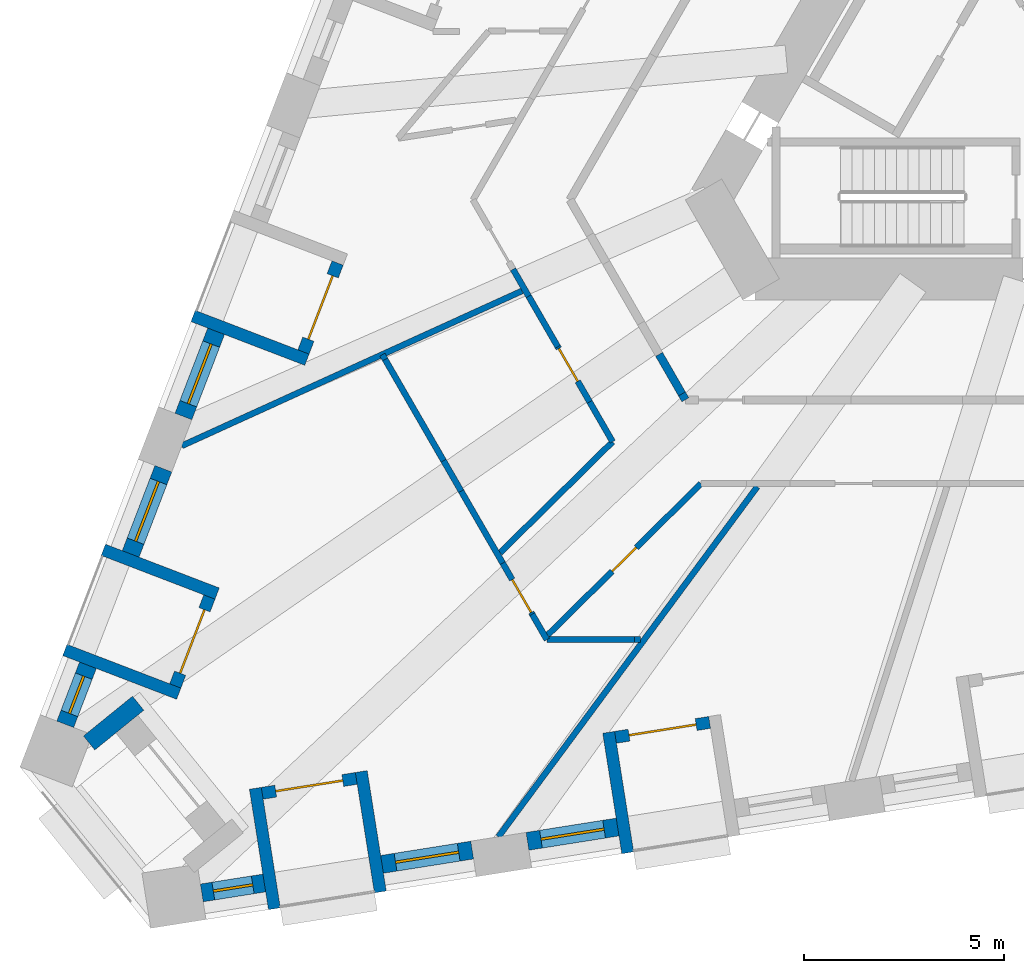
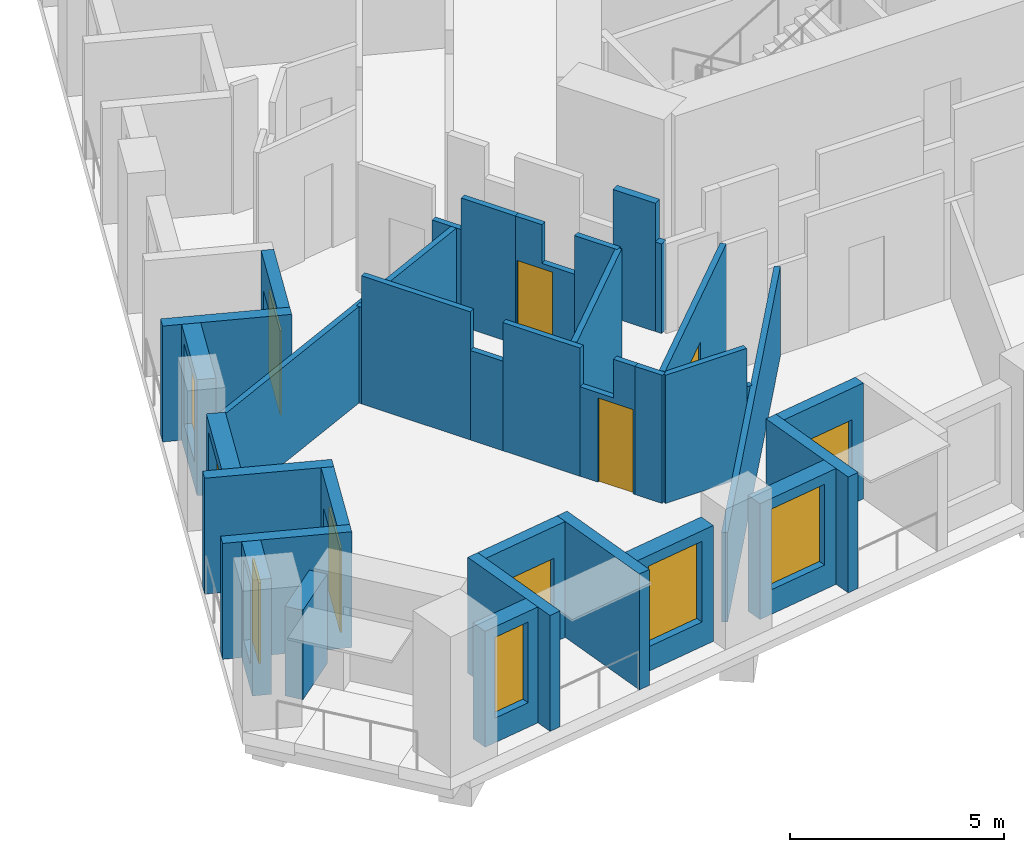
# One storey, part 2 of 14: 35 walls, 7 doors, 6 windows, 13 openings.
"""IFC4 building model written with IfcOpenShell, lengths in metres."""

from ifc_helpers import new_model, si_unit, direction, frame, frame_2d, origin, place, context, subcontext, project, spatial, polyline, rectangle, outline, extrude, material, layer, layer_set, type_object, element, fill, save


model = new_model("IFC4")

# Units and contexts
model_context = context("Model", 3, precision=1e-05, world=origin(), true_north=direction((0.0, 1.0)))
body_context = subcontext(model_context, "Body", "Model", "MODEL_VIEW")
ifc_project = project(units=[si_unit("LENGTHUNIT", "METRE"), si_unit("AREAUNIT", "SQUARE_METRE"), si_unit("VOLUMEUNIT", "CUBIC_METRE"), si_unit("PLANEANGLEUNIT", "RADIAN"), si_unit("MASSUNIT", "GRAM", prefix="KILO")], contexts=[model_context])

# Site, building, storey
site_placement = place(None, origin())
site = spatial("IfcSite", under=ifc_project, at=site_placement, CompositionType="ELEMENT")
building_placement = place(site_placement, origin())
building = spatial("IfcBuilding", under=site, at=building_placement, Name="Tramontana Tower", CompositionType="ELEMENT")
storey_placement = place(building_placement, frame((0.0, 0.0, 59.199951171875)))
storey = spatial("IfcBuildingStorey", under=building, at=storey_placement, Name="L12", CompositionType="ELEMENT", Elevation=59.199951171875)

# Walls
ifc_material_1 = material(Name="Blockwork", Category="masonry")
ifc_layer_1 = layer(ifc_material_1, 0.199951171875)
ifc_layer_set_1 = layer_set([ifc_layer_1], Name="ENTRY WALL 200")
wall_type_1 = type_object("IfcWallType", Name="ENTRY WALL 200", PredefinedType="SOLIDWALL", material=ifc_layer_set_1)
wall_1_placement = place(storey_placement, frame((-10.248046875, -9.25, 0.0), z_axis=(0.0, 0.0, 1.0), x_axis=(-0.499516518495, 0.866304362075, 0.0)))
element("IfcWall", 1, at=wall_1_placement, inside=storey, type_object=wall_type_1, Name="Wall v10-ew3-0", PredefinedType="SOLIDWALL", context=body_context, shape_type="SweptSolid", body=[
    extrude(rectangle(XDim=0.171142578125, YDim=0.199951171875, at=frame_2d((0.08544921875, 0.0))), origin(), (0.0, 0.0, 1.0), 2.550048828125),
])
wall_2_placement = place(storey_placement, frame((-10.33349609375, -9.101806640625, 0.0), z_axis=(0.0, 0.0, 1.0), x_axis=(-0.500049527193, 0.865996807358, 0.0)))
element("IfcWall", 2, at=wall_2_placement, inside=storey, type_object=wall_type_1, Name="Wall v10-ew3-1", PredefinedType="SOLIDWALL", context=body_context, shape_type="SweptSolid", body=[
    extrude(rectangle(XDim=1.1416015625, YDim=0.199951171875, at=frame_2d((0.57080078125, 0.0))), origin(), (0.0, 0.0, 1.0), 3.650146484375),
])

# Wall, opening, window
ifc_material_2 = material(Name="Precast concrete 60 MPa", Category="concrete")
ifc_layer_2 = layer(ifc_material_2, 0.449951171875)
ifc_layer_set_2 = layer_set([ifc_layer_2], Name="Precast concrete 60 MPa, 450 mm")
wall_type_2 = type_object("IfcWallType", Name="EW1 Stone-faced precast wall 450", PredefinedType="SOLIDWALL", material=ifc_layer_set_2)
wall_3_placement = place(storey_placement, frame((-21.986083984375, -7.536376953125, 0.0), z_axis=(0.0, 0.0, 1.0), x_axis=(-0.358355550725, -0.933585185864, 0.0)))
wall_3 = element("IfcWall", 3, at=wall_3_placement, inside=storey, type_object=wall_type_2, Name="External wall L12 face 0 bay 5", PredefinedType="SOLIDWALL", context=body_context, shape_type="SweptSolid", body=[
    extrude(rectangle(XDim=2.282958984375, YDim=0.449951171875, at=frame_2d((1.1416015625, 0.0))), origin(), (0.0, 0.0, 1.0), 3.300048828125),
])
opening_1_placement = place(wall_3_placement, frame((0.341552734375, 0.0, 0.699951171875)))
opening_1 = element("IfcOpeningElement", 4, at=opening_1_placement, cuts=wall_3, Name="Opening M1", PredefinedType="OPENING", context=body_context, shape_type="SweptSolid", body=[
    extrude(rectangle(XDim=1.60009765625, YDim=2.300048828125, at=frame_2d((0.800048828125, 1.14990234375))), frame((0.0, 0.23486328125, 0.0), z_axis=(0.0, -1.0, 0.0), x_axis=(1.0, 0.0, 0.0)), (0.0, 0.0, 1.0), 0.469970703125),
])
ifc_material_3 = material(Name="Aluminum frame, double glazing unit", Category="aluminium")
window_type_1 = type_object("IfcWindowType", Name="M1 Window 1.6 x 2.3", PartitioningType="SINGLE_PANEL", PredefinedType="WINDOW", material=ifc_material_3)
window_1_placement = place(opening_1_placement, origin())
window_1 = element("IfcWindow", 5, at=window_1_placement, inside=storey, type_object=window_type_1, Name="Window M1 L12 face 0 module 15", OverallHeight=2.300048828125, OverallWidth=1.60009765625, PartitioningType="SINGLE_PANEL", PredefinedType="WINDOW", context=body_context, shape_type="SweptSolid", body=[
    extrude(rectangle(XDim=1.60009765625, YDim=2.300048828125, at=frame_2d((0.800048828125, 1.14990234375))), frame((0.0, 0.030029296875, 0.0), z_axis=(0.0, -1.0, 0.0), x_axis=(1.0, 0.0, 0.0)), (0.0, 0.0, 1.0), 0.06005859375),
])
fill(opening_1, window_1)

wall_4_placement = place(storey_placement, frame((-23.305908203125, -10.974609375, 0.0), z_axis=(0.0, 0.0, 1.0), x_axis=(-0.358355550725, -0.933585185864, 0.0)))
wall_4 = element("IfcWall", 6, at=wall_4_placement, inside=storey, type_object=wall_type_2, Name="External wall L12 face 0 bay 6", PredefinedType="SOLIDWALL", context=body_context, shape_type="SweptSolid", body=[
    extrude(rectangle(XDim=2.282958984375, YDim=0.449951171875, at=frame_2d((1.1416015625, 0.0))), origin(), (0.0, 0.0, 1.0), 3.300048828125),
])
opening_2_placement = place(wall_4_placement, frame((0.341552734375, 0.0, 0.699951171875)))
opening_2 = element("IfcOpeningElement", 7, at=opening_2_placement, cuts=wall_4, Name="Opening M1", PredefinedType="OPENING", context=body_context, shape_type="SweptSolid", body=[
    extrude(rectangle(XDim=1.60009765625, YDim=2.300048828125, at=frame_2d((0.800048828125, 1.14990234375))), frame((0.0, 0.23486328125, 0.0), z_axis=(0.0, -1.0, 0.0), x_axis=(1.0, 0.0, 0.0)), (0.0, 0.0, 1.0), 0.469970703125),
])
window_2_placement = place(opening_2_placement, origin())
window_2 = element("IfcWindow", 8, at=window_2_placement, inside=storey, type_object=window_type_1, Name="Window M1 L12 face 0 module 16", OverallHeight=2.300048828125, OverallWidth=1.60009765625, PartitioningType="SINGLE_PANEL", PredefinedType="WINDOW", context=body_context, shape_type="SweptSolid", body=[
    extrude(rectangle(XDim=1.60009765625, YDim=2.300048828125, at=frame_2d((0.800048828125, 1.14990234375))), frame((0.0, 0.030029296875, 0.0), z_axis=(0.0, -1.0, 0.0), x_axis=(1.0, 0.0, 0.0)), (0.0, 0.0, 1.0), 0.06005859375),
])
fill(opening_2, window_2)

wall_5_placement = place(storey_placement, frame((-25.193115234375, -15.890869140625, 0.0), z_axis=(0.0, 0.0, 1.0), x_axis=(-0.358431261356, -0.933556120907, 0.0)))
wall_5 = element("IfcWall", 9, at=wall_5_placement, inside=storey, type_object=wall_type_2, Name="External wall L12 face 0 bay 6", PredefinedType="SOLIDWALL", context=body_context, shape_type="SweptSolid", body=[
    extrude(rectangle(XDim=1.5830078125, YDim=0.449951171875, at=frame_2d((0.79150390625, 0.0))), origin(), (0.0, 0.0, 1.0), 3.300048828125),
])
opening_3_placement = place(wall_5_placement, frame((0.29150390625, 0.0, 0.699951171875)))
opening_3 = element("IfcOpeningElement", 10, at=opening_3_placement, cuts=wall_5, Name="Opening N1", PredefinedType="OPENING", context=body_context, shape_type="SweptSolid", body=[
    extrude(rectangle(XDim=1.0, YDim=2.300048828125, at=frame_2d((0.5, 1.14990234375))), frame((0.0, 0.23486328125, 0.0), z_axis=(0.0, -1.0, 0.0), x_axis=(1.0, 0.0, 0.0)), (0.0, 0.0, 1.0), 0.469970703125),
])
ifc_material_4 = material(Name="Aluminum frame, double glazing unit", Category="aluminium")
window_type_2 = type_object("IfcWindowType", Name="N1 Window 1 x 2.3", PartitioningType="SINGLE_PANEL", PredefinedType="WINDOW", material=ifc_material_4)
window_3_placement = place(opening_3_placement, origin())
window_3 = element("IfcWindow", 11, at=window_3_placement, inside=storey, type_object=window_type_2, Name="Window N1 L12 face 0 module 18", OverallHeight=2.300048828125, OverallWidth=1.0, PartitioningType="SINGLE_PANEL", PredefinedType="WINDOW", context=body_context, shape_type="SweptSolid", body=[
    extrude(rectangle(XDim=1.0, YDim=2.300048828125, at=frame_2d((0.5, 1.14990234375))), frame((0.0, 0.030029296875, 0.0), z_axis=(0.0, -1.0, 0.0), x_axis=(1.0, 0.0, 0.0)), (0.0, 0.0, 1.0), 0.06005859375),
])
fill(opening_3, window_3)

wall_6_placement = place(storey_placement, frame((-22.344970703125, -21.586181640625, 0.0), z_axis=(0.0, 0.0, 1.0), x_axis=(0.987695344573, 0.156390237257, 0.0)))
wall_6 = element("IfcWall", 12, at=wall_6_placement, inside=storey, type_object=wall_type_2, Name="External wall L12 face 1 bay 1", PredefinedType="SOLIDWALL", context=body_context, shape_type="SweptSolid", body=[
    extrude(rectangle(XDim=1.5830078125, YDim=0.449951171875, at=frame_2d((0.79150390625, 0.0))), origin(), (0.0, 0.0, 1.0), 3.300048828125),
])
opening_4_placement = place(wall_6_placement, frame((0.29150390625, 0.0, 0.699951171875)))
opening_4 = element("IfcOpeningElement", 13, at=opening_4_placement, cuts=wall_6, Name="Opening N1", PredefinedType="OPENING", context=body_context, shape_type="SweptSolid", body=[
    extrude(rectangle(XDim=1.0, YDim=2.300048828125, at=frame_2d((0.5, 1.14990234375))), frame((0.0, 0.23486328125, 0.0), z_axis=(0.0, -1.0, 0.0), x_axis=(1.0, 0.0, 0.0)), (0.0, 0.0, 1.0), 0.469970703125),
])
window_4_placement = place(opening_4_placement, origin())
window_4 = element("IfcWindow", 14, at=window_4_placement, inside=storey, type_object=window_type_2, Name="Window N1 L12 face 1 module 1", OverallHeight=2.300048828125, OverallWidth=1.0, PartitioningType="SINGLE_PANEL", PredefinedType="WINDOW", context=body_context, shape_type="SweptSolid", body=[
    extrude(rectangle(XDim=1.0, YDim=2.300048828125, at=frame_2d((0.5, 1.14990234375))), frame((0.0, 0.030029296875, 0.0), z_axis=(0.0, -1.0, 0.0), x_axis=(1.0, 0.0, 0.0)), (0.0, 0.0, 1.0), 0.06005859375),
])
fill(opening_4, window_4)

wall_7_placement = place(storey_placement, frame((-17.835205078125, -20.8720703125, 0.0), z_axis=(0.0, 0.0, 1.0), x_axis=(0.987685675151, 0.156451293065, 0.0)))
wall_7 = element("IfcWall", 15, at=wall_7_placement, inside=storey, type_object=wall_type_2, Name="External wall L12 face 1 bay 1", PredefinedType="SOLIDWALL", context=body_context, shape_type="SweptSolid", body=[
    extrude(rectangle(XDim=2.282958984375, YDim=0.449951171875, at=frame_2d((1.1416015625, 0.0))), origin(), (0.0, 0.0, 1.0), 3.300048828125),
])
opening_5_placement = place(wall_7_placement, frame((0.341552734375, 0.0, 0.699951171875)))
opening_5 = element("IfcOpeningElement", 16, at=opening_5_placement, cuts=wall_7, Name="Opening M1", PredefinedType="OPENING", context=body_context, shape_type="SweptSolid", body=[
    extrude(rectangle(XDim=1.60009765625, YDim=2.300048828125, at=frame_2d((0.800048828125, 1.14990234375))), frame((0.0, 0.23486328125, 0.0), z_axis=(0.0, -1.0, 0.0), x_axis=(1.0, 0.0, 0.0)), (0.0, 0.0, 1.0), 0.469970703125),
])
window_5_placement = place(opening_5_placement, origin())
window_5 = element("IfcWindow", 17, at=window_5_placement, inside=storey, type_object=window_type_1, Name="Window M1 L12 face 1 module 3", OverallHeight=2.300048828125, OverallWidth=1.60009765625, PartitioningType="SINGLE_PANEL", PredefinedType="WINDOW", context=body_context, shape_type="SweptSolid", body=[
    extrude(rectangle(XDim=1.60009765625, YDim=2.300048828125, at=frame_2d((0.800048828125, 1.14990234375))), frame((0.0, 0.030029296875, 0.0), z_axis=(0.0, -1.0, 0.0), x_axis=(1.0, 0.0, 0.0)), (0.0, 0.0, 1.0), 0.06005859375),
])
fill(opening_5, window_5)

wall_8_placement = place(storey_placement, frame((-14.19775390625, -20.2958984375, 0.0), z_axis=(0.0, 0.0, 1.0), x_axis=(0.987685675151, 0.156451293065, 0.0)))
wall_8 = element("IfcWall", 18, at=wall_8_placement, inside=storey, type_object=wall_type_2, Name="External wall L12 face 1 bay 2", PredefinedType="SOLIDWALL", context=body_context, shape_type="SweptSolid", body=[
    extrude(rectangle(XDim=2.282958984375, YDim=0.449951171875, at=frame_2d((1.1416015625, 0.0))), origin(), (0.0, 0.0, 1.0), 3.300048828125),
])
opening_6_placement = place(wall_8_placement, frame((0.341552734375, 0.0, 0.699951171875)))
opening_6 = element("IfcOpeningElement", 19, at=opening_6_placement, cuts=wall_8, Name="Opening M1", PredefinedType="OPENING", context=body_context, shape_type="SweptSolid", body=[
    extrude(rectangle(XDim=1.60009765625, YDim=2.300048828125, at=frame_2d((0.800048828125, 1.14990234375))), frame((0.0, 0.23486328125, 0.0), z_axis=(0.0, -1.0, 0.0), x_axis=(1.0, 0.0, 0.0)), (0.0, 0.0, 1.0), 0.469970703125),
])
window_6_placement = place(opening_6_placement, origin())
window_6 = element("IfcWindow", 20, at=window_6_placement, inside=storey, type_object=window_type_1, Name="Window M1 L12 face 1 module 4", OverallHeight=2.300048828125, OverallWidth=1.60009765625, PartitioningType="SINGLE_PANEL", PredefinedType="WINDOW", context=body_context, shape_type="SweptSolid", body=[
    extrude(rectangle(XDim=1.60009765625, YDim=2.300048828125, at=frame_2d((0.800048828125, 1.14990234375))), frame((0.0, 0.030029296875, 0.0), z_axis=(0.0, -1.0, 0.0), x_axis=(1.0, 0.0, 0.0)), (0.0, 0.0, 1.0), 0.06005859375),
])
fill(opening_6, window_6)

# Wall
wall_9_placement = place(storey_placement, frame((-25.162841796875, -17.835205078125, 0.0), z_axis=(0.0, 0.0, 1.0), x_axis=(0.777129655516, 0.629340526677, 0.0)))
element("IfcWall", 21, at=wall_9_placement, inside=storey, type_object=wall_type_2, Name="Corner loggia side wall L12 K11r", PredefinedType="SOLIDWALL", context=body_context, shape_type="SweptSolid", body=[
    extrude(rectangle(XDim=1.579345703125, YDim=0.449951171875, at=frame_2d((0.78955078125, 0.0))), origin(), (0.0, 0.0, 1.0), 2.550048828125),
])

# Wall, opening, door
ifc_material_5 = material(Name="Precast concrete 60 MPa", Category="concrete")
ifc_layer_3 = layer(ifc_material_5, 0.300048828125)
ifc_layer_set_3 = layer_set([ifc_layer_3], Name="LW1 Stone-faced loggia wall 300")
wall_type_3 = type_object("IfcWallType", Name="LW1 Stone-faced loggia wall 300", PredefinedType="SOLIDWALL", material=ifc_layer_set_3)
wall_10_placement = place(storey_placement, frame((-18.947265625, -5.828857421875, 0.0), z_axis=(0.0, 0.0, 1.0), x_axis=(-0.358354292693, -0.933585668757, 0.0)))
wall_10 = element("IfcWall", 22, at=wall_10_placement, inside=storey, type_object=wall_type_3, Name="Loggia wall L12 G1S0.13", PredefinedType="SOLIDWALL", context=body_context, shape_type="SweptSolid", body=[
    extrude(rectangle(XDim=2.383056640625, YDim=0.300048828125, at=frame_2d((1.19140625, 0.0))), origin(), (0.0, 0.0, 1.0), 3.300048828125),
])
opening_7_placement = place(wall_10_placement, frame((0.341552734375, 0.0, 0.0)))
opening_7 = element("IfcOpeningElement", 23, at=opening_7_placement, cuts=wall_10, Name="Opening BD-1S0-13", PredefinedType="OPENING", context=body_context, shape_type="SweptSolid", body=[
    extrude(rectangle(XDim=1.699951171875, YDim=2.39990234375, at=frame_2d((0.85009765625, 1.199951171875))), frame((0.0, 0.159912109375, 0.0), z_axis=(0.0, -1.0, 0.0), x_axis=(1.0, 0.0, 0.0)), (0.0, 0.0, 1.0), 0.320068359375),
])
ifc_material_6 = material(Name="Aluminum frame, double glazing unit", Category="aluminium")
door_type_1 = type_object("IfcDoorType", Name="BD1 Sliding door 1.7 x 2.4", OperationType="SLIDING_TO_LEFT", PredefinedType="DOOR", material=ifc_material_6)
door_1_placement = place(opening_7_placement, origin())
door_1 = element("IfcDoor", 24, at=door_1_placement, inside=storey, type_object=door_type_1, Name="Loggia door L12 G1S0.13", OperationType="SLIDING_TO_LEFT", OverallHeight=2.39990234375, OverallWidth=1.699951171875, PredefinedType="DOOR", context=body_context, shape_type="SweptSolid", body=[
    extrude(rectangle(XDim=1.699951171875, YDim=2.39990234375, at=frame_2d((0.85009765625, 1.199951171875))), frame((0.0, 0.02490234375, 0.0), z_axis=(0.0, -1.0, 0.0), x_axis=(1.0, 0.0, 0.0)), (0.0, 0.0, 1.0), 0.050048828125),
])
fill(opening_7, door_1)

# Wall
wall_11_placement = place(storey_placement, frame((-22.5625, -7.154296875, 0.0), z_axis=(0.0, 0.0, 1.0), x_axis=(0.933580593625, -0.358367514161, 0.0)))
element("IfcWall", 25, at=wall_11_placement, inside=storey, type_object=wall_type_3, Name="Loggia return L12 G1S0.13b", PredefinedType="SOLIDWALL", context=body_context, shape_type="SweptSolid", body=[
    extrude(rectangle(XDim=3.050048828125, YDim=0.300048828125, at=frame_2d((1.52490234375, 0.0))), origin(), (0.0, 0.0, 1.0), 3.300048828125),
])

# Wall, opening, door
wall_12_placement = place(storey_placement, frame((-22.154296875, -14.18359375, 0.0), z_axis=(0.0, 0.0, 1.0), x_axis=(-0.35838856932, -0.933572511046, 0.0)))
wall_12 = element("IfcWall", 26, at=wall_12_placement, inside=storey, type_object=wall_type_3, Name="Loggia wall L12 G1S0.16", PredefinedType="SOLIDWALL", context=body_context, shape_type="SweptSolid", body=[
    extrude(rectangle(XDim=2.3828125, YDim=0.300048828125, at=frame_2d((1.19140625, 0.0))), origin(), (0.0, 0.0, 1.0), 3.300048828125),
])
opening_8_placement = place(wall_12_placement, frame((0.341552734375, 0.0, 0.0)))
opening_8 = element("IfcOpeningElement", 27, at=opening_8_placement, cuts=wall_12, Name="Opening BD-1S0-16", PredefinedType="OPENING", context=body_context, shape_type="SweptSolid", body=[
    extrude(rectangle(XDim=1.699951171875, YDim=2.39990234375, at=frame_2d((0.85009765625, 1.199951171875))), frame((0.0, 0.159912109375, 0.0), z_axis=(0.0, -1.0, 0.0), x_axis=(1.0, 0.0, 0.0)), (0.0, 0.0, 1.0), 0.320068359375),
])
door_2_placement = place(opening_8_placement, origin())
door_2 = element("IfcDoor", 28, at=door_2_placement, inside=storey, type_object=door_type_1, Name="Loggia door L12 G1S0.16", OperationType="SLIDING_TO_LEFT", OverallHeight=2.39990234375, OverallWidth=1.699951171875, PredefinedType="DOOR", context=body_context, shape_type="SweptSolid", body=[
    extrude(rectangle(XDim=1.699951171875, YDim=2.39990234375, at=frame_2d((0.85009765625, 1.199951171875))), frame((0.0, 0.02490234375, 0.0), z_axis=(0.0, -1.0, 0.0), x_axis=(1.0, 0.0, 0.0)), (0.0, 0.0, 1.0), 0.050048828125),
])
fill(opening_8, door_2)

# Walls
for number, where, z_axis, x_axis, name in (
    (29, (-24.80810546875, -13.004150390625, 0.0), (0.0, 0.0, 1.0), (0.933580593625, -0.358367514161, 0.0), "Loggia return L12 G1S0.16a"),
    (30, (-25.76953125, -15.509033203125, 0.0), (0.0, 0.0, 1.0), (0.933580593625, -0.358367514161, 0.0), "Loggia return L12 G1S0.16b"),
):
    element("IfcWall", number, at=place(storey_placement, frame(where, z_axis=z_axis, x_axis=x_axis)), inside=storey, type_object=wall_type_3, Name=name, PredefinedType="SOLIDWALL", context=body_context, shape_type="SweptSolid", body=[
        extrude(rectangle(XDim=3.050048828125, YDim=0.300048828125, at=frame_2d((1.52490234375, 0.0))), origin(), (0.0, 0.0, 1.0), 3.300048828125),
    ])

# Wall, opening, door
wall_13_placement = place(storey_placement, frame((-20.833251953125, -19.09423828125, 0.0), z_axis=(0.0, 0.0, 1.0), x_axis=(0.987685586014, 0.156451855793, 0.0)))
wall_13 = element("IfcWall", 31, at=wall_13_placement, inside=storey, type_object=wall_type_3, Name="Loggia wall L12 G1S1.1", PredefinedType="SOLIDWALL", context=body_context, shape_type="SweptSolid", body=[
    extrude(rectangle(XDim=2.3828125, YDim=0.300048828125, at=frame_2d((1.19140625, 0.0))), origin(), (0.0, 0.0, 1.0), 3.300048828125),
])
opening_9_placement = place(wall_13_placement, frame((0.341552734375, 0.0, 0.0)))
opening_9 = element("IfcOpeningElement", 32, at=opening_9_placement, cuts=wall_13, Name="Opening BD-1S1-01", PredefinedType="OPENING", context=body_context, shape_type="SweptSolid", body=[
    extrude(rectangle(XDim=1.699951171875, YDim=2.39990234375, at=frame_2d((0.85009765625, 1.199951171875))), frame((0.0, 0.159912109375, 0.0), z_axis=(0.0, -1.0, 0.0), x_axis=(1.0, 0.0, 0.0)), (0.0, 0.0, 1.0), 0.320068359375),
])
door_3_placement = place(opening_9_placement, origin())
door_3 = element("IfcDoor", 33, at=door_3_placement, inside=storey, type_object=door_type_1, Name="Loggia door L12 G1S1.1", OperationType="SLIDING_TO_LEFT", OverallHeight=2.39990234375, OverallWidth=1.699951171875, PredefinedType="DOOR", context=body_context, shape_type="SweptSolid", body=[
    extrude(rectangle(XDim=1.699951171875, YDim=2.39990234375, at=frame_2d((0.85009765625, 1.199951171875))), frame((0.0, 0.02490234375, 0.0), z_axis=(0.0, -1.0, 0.0), x_axis=(1.0, 0.0, 0.0)), (0.0, 0.0, 1.0), 0.050048828125),
])
fill(opening_9, door_3)

# Walls
for number, where, z_axis, x_axis, name in (
    (34, (-20.52783203125, -21.98193359375, 0.0), (0.0, 0.0, 1.0), (-0.156410600741, 0.987692120033, 0.0), "Loggia return L12 G1S1.1a"),
    (35, (-17.8779296875, -21.562255859375, 0.0), (0.0, 0.0, 1.0), (-0.156410600741, 0.987692120033, 0.0), "Loggia return L12 G1S1.1b"),
):
    element("IfcWall", number, at=place(storey_placement, frame(where, z_axis=z_axis, x_axis=x_axis)), inside=storey, type_object=wall_type_3, Name=name, PredefinedType="SOLIDWALL", context=body_context, shape_type="SweptSolid", body=[
        extrude(rectangle(XDim=3.050048828125, YDim=0.300048828125, at=frame_2d((1.52490234375, 0.0))), origin(), (0.0, 0.0, 1.0), 3.300048828125),
    ])

# Wall, opening, door
wall_14_placement = place(storey_placement, frame((-11.99462890625, -17.694091796875, 0.0), z_axis=(0.0, 0.0, 1.0), x_axis=(0.98770391772, 0.156336083232, 0.0)))
wall_14 = element("IfcWall", 36, at=wall_14_placement, inside=storey, type_object=wall_type_3, Name="Loggia wall L12 G1S1.4", PredefinedType="SOLIDWALL", context=body_context, shape_type="SweptSolid", body=[
    extrude(rectangle(XDim=2.383056640625, YDim=0.300048828125, at=frame_2d((1.19140625, 0.0))), origin(), (0.0, 0.0, 1.0), 3.300048828125),
])
opening_10_placement = place(wall_14_placement, frame((0.341552734375, 0.0, 0.0)))
opening_10 = element("IfcOpeningElement", 37, at=opening_10_placement, cuts=wall_14, Name="Opening BD-1S1-04", PredefinedType="OPENING", context=body_context, shape_type="SweptSolid", body=[
    extrude(rectangle(XDim=1.699951171875, YDim=2.39990234375, at=frame_2d((0.85009765625, 1.199951171875))), frame((0.0, 0.159912109375, 0.0), z_axis=(0.0, -1.0, 0.0), x_axis=(1.0, 0.0, 0.0)), (0.0, 0.0, 1.0), 0.320068359375),
])
door_4_placement = place(opening_10_placement, origin())
door_4 = element("IfcDoor", 38, at=door_4_placement, inside=storey, type_object=door_type_1, Name="Loggia door L12 G1S1.4", OperationType="SLIDING_TO_LEFT", OverallHeight=2.39990234375, OverallWidth=1.699951171875, PredefinedType="DOOR", context=body_context, shape_type="SweptSolid", body=[
    extrude(rectangle(XDim=1.699951171875, YDim=2.39990234375, at=frame_2d((0.85009765625, 1.199951171875))), frame((0.0, 0.02490234375, 0.0), z_axis=(0.0, -1.0, 0.0), x_axis=(1.0, 0.0, 0.0)), (0.0, 0.0, 1.0), 0.050048828125),
])
fill(opening_10, door_4)

# Walls
wall_15_placement = place(storey_placement, frame((-11.68896484375, -20.58203125, 0.0), z_axis=(0.0, 0.0, 1.0), x_axis=(-0.156488687365, 0.987679751097, 0.0)))
element("IfcWall", 39, at=wall_15_placement, inside=storey, type_object=wall_type_3, Name="Loggia return L12 G1S1.4a", PredefinedType="SOLIDWALL", context=body_context, shape_type="SweptSolid", body=[
    extrude(rectangle(XDim=3.050048828125, YDim=0.300048828125, at=frame_2d((1.52490234375, 0.0))), origin(), (0.0, 0.0, 1.0), 3.300048828125),
])
ifc_material_7 = material(Name="Gypsum board partition")
ifc_layer_4 = layer(ifc_material_7, 0.14990234375)
ifc_layer_set_4 = layer_set([ifc_layer_4], Name="PARTITION 150")
wall_type_4 = type_object("IfcWallType", Name="PARTITION 150", PredefinedType="PARTITIONING", material=ifc_layer_set_4)
wall_16_placement = place(storey_placement, frame((-22.844970703125, -10.40185546875, 0.0), z_axis=(0.0, 0.0, 1.0), x_axis=(0.910101702386, 0.414384955463, 0.0)))
element("IfcWall", 40, at=wall_16_placement, inside=storey, type_object=wall_type_4, Name="Wall v10-pw00-0", PredefinedType="PARTITIONING", context=body_context, shape_type="SweptSolid", body=[
    extrude(rectangle(XDim=9.353515625, YDim=0.14990234375, at=frame_2d((4.6767578125, 0.0))), origin(), (0.0, 0.0, 1.0), 2.75),
])
wall_17_placement = place(storey_placement, frame((-14.88037109375, -13.076416015625, 0.0), z_axis=(0.0, 0.0, 1.0), x_axis=(0.711570024915, 0.702615186032, 0.0)))
element("IfcWall", 41, at=wall_17_placement, inside=storey, type_object=wall_type_4, Name="Wall v10-pw05", PredefinedType="PARTITIONING", context=body_context, shape_type="SweptSolid", body=[
    extrude(rectangle(XDim=3.953125, YDim=0.14990234375, at=frame_2d((1.9765625, 0.0))), origin(), (0.0, 0.0, 1.0), 3.650146484375),
])
wall_18_placement = place(storey_placement, frame((-13.712158203125, -15.25, 0.0), z_axis=(0.0, 0.0, 1.0), x_axis=(-0.500039236423, 0.86600274944, 0.0)))
element("IfcWall", 42, at=wall_18_placement, inside=storey, type_object=wall_type_4, Name="Wall v10-pw06-0", PredefinedType="PARTITIONING", context=body_context, shape_type="SweptSolid", body=[
    extrude(rectangle(XDim=0.73388671875, YDim=0.14990234375, at=frame_2d((0.366943359375, 0.0))), origin(), (0.0, 0.0, 1.0), 3.650146484375),
])

# Wall, opening, door
wall_19_placement = place(storey_placement, frame((-14.0791015625, -14.614501953125, 0.0), z_axis=(0.0, 0.0, 1.0), x_axis=(-0.499927643558, 0.866067174765, 0.0)))
wall_19 = element("IfcWall", 43, at=wall_19_placement, inside=storey, type_object=wall_type_4, Name="Wall v10-pw06-1", PredefinedType="PARTITIONING", context=body_context, shape_type="SweptSolid", body=[
    extrude(outline(polyline([(0.0, 0.0), (1.476318359375, 0.0), (1.476318359375, 2.550048828125), (0.577392578125, 2.550048828125), (0.577392578125, 3.650146484375), (0.0, 3.650146484375), (0.0, 0.0)])), frame((0.0, 0.074951171875, 0.0), z_axis=(0.0, -1.0, 0.0), x_axis=(1.0, 0.0, 0.0)), (0.0, 0.0, 1.0), 0.14990234375),
])
opening_11_placement = place(wall_19_placement, frame((0.050048828125, 0.0, 0.0)))
opening_11 = element("IfcOpeningElement", 44, at=opening_11_placement, cuts=wall_19, Name="Opening B1A-12", PredefinedType="OPENING", context=body_context, shape_type="SweptSolid", body=[
    extrude(rectangle(XDim=0.949951171875, YDim=2.39990234375, at=frame_2d((0.47509765625, 1.199951171875))), frame((0.0, 0.0849609375, 0.0), z_axis=(0.0, -1.0, 0.0), x_axis=(1.0, 0.0, 0.0)), (0.0, 0.0, 1.0), 0.169921875),
])
ifc_material_8 = material(Name="Painted timber", Category="wood")
door_type_2 = type_object("IfcDoorType", Name="DOOR ROOM 950", OperationType="SINGLE_SWING_LEFT", PredefinedType="DOOR", material=ifc_material_8)
door_5_placement = place(opening_11_placement, origin())
door_5 = element("IfcDoor", 45, at=door_5_placement, inside=storey, type_object=door_type_2, Name="Door B1A-12", OperationType="SINGLE_SWING_RIGHT", OverallHeight=2.39990234375, OverallWidth=0.949951171875, PredefinedType="DOOR", context=body_context, shape_type="SweptSolid", body=[
    extrude(rectangle(XDim=0.949951171875, YDim=2.39990234375, at=frame_2d((0.47509765625, 1.199951171875))), frame((0.0, 0.02490234375, 0.0), z_axis=(0.0, -1.0, 0.0), x_axis=(1.0, 0.0, 0.0)), (0.0, 0.0, 1.0), 0.050048828125),
])
fill(opening_11, door_5)

# Walls
wall_20_placement = place(storey_placement, frame((-14.817138671875, -13.3359375, 0.0), z_axis=(0.0, 0.0, 1.0), x_axis=(-0.500027264788, 0.866009661879, 0.0)))
element("IfcWall", 46, at=wall_20_placement, inside=storey, type_object=wall_type_4, Name="Wall v10-pw06-2", PredefinedType="PARTITIONING", context=body_context, shape_type="SweptSolid", body=[
    extrude(rectangle(XDim=2.080078125, YDim=0.14990234375, at=frame_2d((1.0400390625, 0.0))), origin(), (0.0, 0.0, 1.0), 3.650146484375),
])
wall_21_placement = place(storey_placement, frame((-15.857177734375, -11.53466796875, 0.0), z_axis=(0.0, 0.0, 1.0), x_axis=(-0.49990697594, 0.86607910459, 0.0)))
element("IfcWall", 47, at=wall_21_placement, inside=storey, type_object=wall_type_4, Name="Wall v10-pw06-3", PredefinedType="PARTITIONING", context=body_context, shape_type="SweptSolid", body=[
    extrude(rectangle(XDim=0.878173828125, YDim=0.14990234375, at=frame_2d((0.43896484375, 0.0))), origin(), (0.0, 0.0, 1.0), 2.550048828125),
])
wall_22_placement = place(storey_placement, frame((-16.296142578125, -10.774169921875, 0.0), z_axis=(0.0, 0.0, 1.0), x_axis=(-0.499980071345, 0.866036909293, 0.0)))
element("IfcWall", 48, at=wall_22_placement, inside=storey, type_object=wall_type_4, Name="Wall v10-pw06-4", PredefinedType="PARTITIONING", context=body_context, shape_type="SweptSolid", body=[
    extrude(rectangle(XDim=2.92578125, YDim=0.14990234375, at=frame_2d((1.462890625, 0.0))), origin(), (0.0, 0.0, 1.0), 3.650146484375),
])
wall_23_placement = place(storey_placement, frame((-17.759033203125, -8.240234375, 0.0), z_axis=(0.0, 0.0, 1.0), x_axis=(-0.500896724159, 0.865507060472, 0.0)))
element("IfcWall", 49, at=wall_23_placement, inside=storey, type_object=wall_type_4, Name="Wall v10-pw06-5", PredefinedType="PARTITIONING", context=body_context, shape_type="SweptSolid", body=[
    extrude(rectangle(XDim=0.137939453125, YDim=0.14990234375, at=frame_2d((0.06884765625, 0.0))), origin(), (0.0, 0.0, 1.0), 2.75),
])
wall_24_placement = place(storey_placement, frame((-12.0673828125, -10.298828125, 0.0), z_axis=(0.0, 0.0, 1.0), x_axis=(-0.499955427682, 0.866051136095, 0.0)))
element("IfcWall", 50, at=wall_24_placement, inside=storey, type_object=wall_type_4, Name="Wall v10-pw07-0", PredefinedType="PARTITIONING", context=body_context, shape_type="SweptSolid", body=[
    extrude(rectangle(XDim=1.14892578125, YDim=0.14990234375, at=frame_2d((0.574462890625, 0.0))), origin(), (0.0, 0.0, 1.0), 3.650146484375),
])

# Wall, opening, door
wall_25_placement = place(storey_placement, frame((-12.641845703125, -9.3037109375, 0.0), z_axis=(0.0, 0.0, 1.0), x_axis=(-0.499961121316, 0.86604784924, 0.0)))
wall_25 = element("IfcWall", 51, at=wall_25_placement, inside=storey, type_object=wall_type_4, Name="Wall v10-pw07-1", PredefinedType="PARTITIONING", context=body_context, shape_type="SweptSolid", body=[
    extrude(outline(polyline([(0.0, 0.0), (1.593994140625, 0.0), (1.593994140625, 3.650146484375), (0.8779296875, 3.650146484375), (0.8779296875, 2.550048828125), (0.0, 2.550048828125), (0.0, 0.0)])), frame((0.0, 0.074951171875, 0.0), z_axis=(0.0, -1.0, 0.0), x_axis=(1.0, 0.0, 0.0)), (0.0, 0.0, 1.0), 0.14990234375),
])
opening_12_placement = place(wall_25_placement, frame((0.593994140625, 0.0, 0.0)))
opening_12 = element("IfcOpeningElement", 52, at=opening_12_placement, cuts=wall_25, Name="Opening B1A-10", PredefinedType="OPENING", context=body_context, shape_type="SweptSolid", body=[
    extrude(rectangle(XDim=0.949951171875, YDim=2.39990234375, at=frame_2d((0.47509765625, 1.199951171875))), frame((0.0, 0.0849609375, 0.0), z_axis=(0.0, -1.0, 0.0), x_axis=(1.0, 0.0, 0.0)), (0.0, 0.0, 1.0), 0.169921875),
])
door_6_placement = place(opening_12_placement, origin())
door_6 = element("IfcDoor", 53, at=door_6_placement, inside=storey, type_object=door_type_2, Name="Door B1A-10", OperationType="SINGLE_SWING_RIGHT", OverallHeight=2.39990234375, OverallWidth=0.949951171875, PredefinedType="DOOR", context=body_context, shape_type="SweptSolid", body=[
    extrude(rectangle(XDim=0.949951171875, YDim=2.39990234375, at=frame_2d((0.47509765625, 1.199951171875))), frame((0.0, 0.02490234375, 0.0), z_axis=(0.0, -1.0, 0.0), x_axis=(1.0, 0.0, 0.0)), (0.0, 0.0, 1.0), 0.050048828125),
])
fill(opening_12, door_6)

# Walls
wall_26_placement = place(storey_placement, frame((-13.438720703125, -7.92333984375, 0.0), z_axis=(0.0, 0.0, 1.0), x_axis=(-0.500026652407, 0.866010015463, 0.0)))
element("IfcWall", 54, at=wall_26_placement, inside=storey, type_object=wall_type_4, Name="Wall v10-pw07-2", PredefinedType="PARTITIONING", context=body_context, shape_type="SweptSolid", body=[
    extrude(rectangle(XDim=1.458984375, YDim=0.14990234375, at=frame_2d((0.7294921875, 0.0))), origin(), (0.0, 0.0, 1.0), 3.650146484375),
])
wall_27_placement = place(storey_placement, frame((-14.168212890625, -6.659912109375, 0.0), z_axis=(0.0, 0.0, 1.0), x_axis=(-0.500011542666, 0.866018739521, 0.0)))
element("IfcWall", 55, at=wall_27_placement, inside=storey, type_object=wall_type_4, Name="Wall v10-pw07-3", PredefinedType="PARTITIONING", context=body_context, shape_type="SweptSolid", body=[
    extrude(rectangle(XDim=0.77978515625, YDim=0.14990234375, at=frame_2d((0.389892578125, 0.0))), origin(), (0.0, 0.0, 1.0), 2.75),
])
wall_28_placement = place(storey_placement, frame((-11.369873046875, -15.25, 0.0), z_axis=(0.0, 0.0, 1.0), x_axis=(-1.0, 0.0, 0.0)))
element("IfcWall", 56, at=wall_28_placement, inside=storey, type_object=wall_type_4, Name="Wall v10-pw08-0", PredefinedType="PARTITIONING", context=body_context, shape_type="SweptSolid", body=[
    extrude(rectangle(XDim=0.150634765625, YDim=0.14990234375, at=frame_2d((0.0751953125, 0.0))), origin(), (0.0, 0.0, 1.0), 2.550048828125),
])
wall_29_placement = place(storey_placement, frame((-11.5205078125, -15.25, 0.0), z_axis=(0.0, 0.0, 1.0), x_axis=(-1.0, 0.0, 0.0)))
element("IfcWall", 57, at=wall_29_placement, inside=storey, type_object=wall_type_4, Name="Wall v10-pw08-1", PredefinedType="PARTITIONING", context=body_context, shape_type="SweptSolid", body=[
    extrude(rectangle(XDim=2.191650390625, YDim=0.14990234375, at=frame_2d((1.095703125, 0.0))), origin(), (0.0, 0.0, 1.0), 3.650146484375),
])

# Wall, opening, door
wall_30_placement = place(storey_placement, frame((-9.8583984375, -11.35009765625, 0.0), z_axis=(0.0, 0.0, 1.0), x_axis=(-0.711601660906, -0.702583145397, 0.0)))
wall_30 = element("IfcWall", 58, at=wall_30_placement, inside=storey, type_object=wall_type_4, Name="Wall v10-pw09", PredefinedType="PARTITIONING", context=body_context, shape_type="SweptSolid", body=[
    extrude(rectangle(XDim=5.38720703125, YDim=0.14990234375, at=frame_2d((2.693603515625, 0.0))), origin(), (0.0, 0.0, 1.0), 3.650146484375),
])
opening_13_placement = place(wall_30_placement, frame((2.2685546875, 0.0, 0.0)))
opening_13 = element("IfcOpeningElement", 59, at=opening_13_placement, cuts=wall_30, Name="Opening B1A-11", PredefinedType="OPENING", context=body_context, shape_type="SweptSolid", body=[
    extrude(rectangle(XDim=0.85009765625, YDim=2.39990234375, at=frame_2d((0.425048828125, 1.199951171875))), frame((0.0, 0.0849609375, 0.0), z_axis=(0.0, -1.0, 0.0), x_axis=(1.0, 0.0, 0.0)), (0.0, 0.0, 1.0), 0.169921875),
])
ifc_material_9 = material(Name="Painted timber", Category="wood")
door_type_3 = type_object("IfcDoorType", Name="DOOR BATH 850", OperationType="SINGLE_SWING_LEFT", PredefinedType="DOOR", material=ifc_material_9)
door_7_placement = place(opening_13_placement, origin())
door_7 = element("IfcDoor", 60, at=door_7_placement, inside=storey, type_object=door_type_3, Name="Door B1A-11", OperationType="SINGLE_SWING_LEFT", OverallHeight=2.39990234375, OverallWidth=0.85009765625, PredefinedType="DOOR", context=body_context, shape_type="SweptSolid", body=[
    extrude(rectangle(XDim=0.85009765625, YDim=2.39990234375, at=frame_2d((0.425048828125, 1.199951171875))), frame((0.0, 0.02490234375, 0.0), z_axis=(0.0, -1.0, 0.0), x_axis=(1.0, 0.0, 0.0)), (0.0, 0.0, 1.0), 0.050048828125),
])
fill(opening_13, door_7)

# Wall
wall_31_placement = place(storey_placement, frame((-8.447998046875, -11.425048828125, 0.0), z_axis=(0.0, 0.0, 1.0), x_axis=(-0.594567506499, -0.804045695353, 0.0)))
element("IfcWall", 61, at=wall_31_placement, inside=storey, type_object=wall_type_4, Name="Wall v10-pw11-0", PredefinedType="PARTITIONING", context=body_context, shape_type="SweptSolid", body=[
    extrude(rectangle(XDim=10.892578125, YDim=0.14990234375, at=frame_2d((5.4462890625, 0.0))), origin(), (0.0, 0.0, 1.0), 2.550048828125),
])

save(model, "model.ifc")
